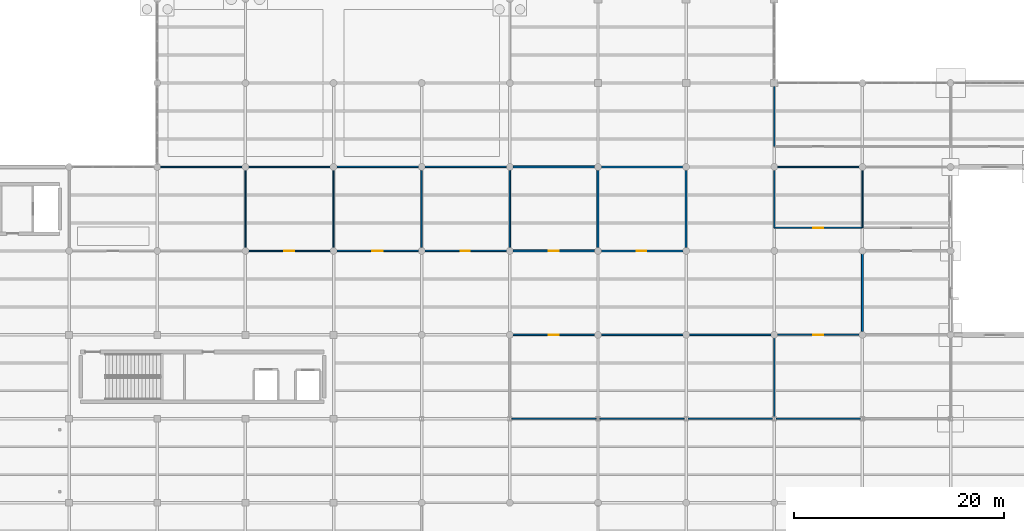
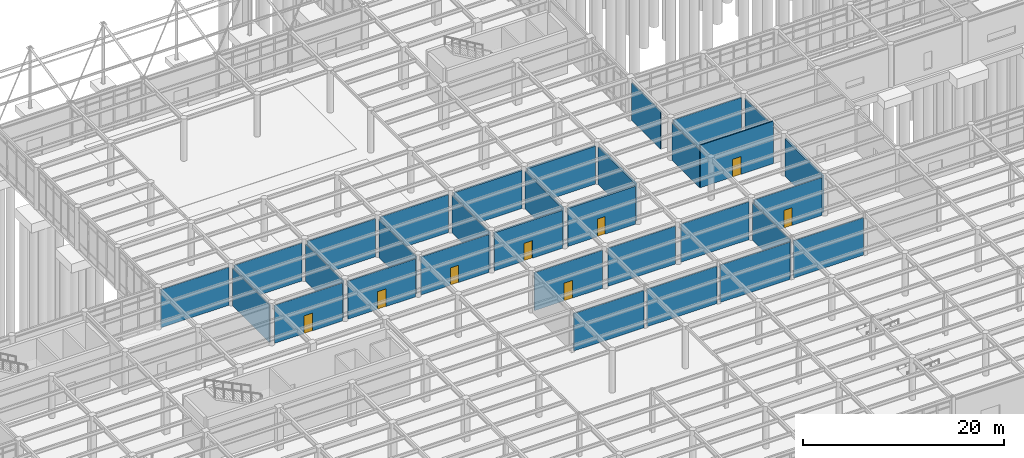
# One storey, part 79 of 138: 32 walls, 8 doors, 8 openings.
"""IFC4 building model written with IfcOpenShell, lengths in metres."""

from ifc_helpers import new_model, si_unit, direction, frame, frame_2d, origin, place, context, subcontext, project, spatial, rectangle, extrude, material, layer, layer_set, type_object, element, fill, save


model = new_model("IFC4")

# Units and contexts
model_context = context("Model", 3, precision=1e-05, world=origin(), true_north=direction((0.0, 1.0)))
body_context = subcontext(model_context, "Body", "Model", "MODEL_VIEW")
ifc_project = project(units=[si_unit("LENGTHUNIT", "METRE"), si_unit("AREAUNIT", "SQUARE_METRE"), si_unit("VOLUMEUNIT", "CUBIC_METRE"), si_unit("PLANEANGLEUNIT", "RADIAN"), si_unit("MASSUNIT", "GRAM", prefix="KILO")], contexts=[model_context])

# Site, building, storey
site_placement = place(None, origin())
site = spatial("IfcSite", under=ifc_project, at=site_placement, CompositionType="ELEMENT")
building_placement = place(site_placement, origin())
building = spatial("IfcBuilding", under=site, at=building_placement, Name="Kranzveld Transit Interchange", CompositionType="ELEMENT")
storey_placement = place(building_placement, origin())
storey = spatial("IfcBuildingStorey", under=building, at=storey_placement, Name="L00", CompositionType="ELEMENT", Elevation=0.0)

# Wall, opening, door
ifc_material_1 = material(Name="Clay masonry unit wall, 20 MPa", Category="masonry")
ifc_layer_1 = layer(ifc_material_1, 0.14990234375)
ifc_layer_set_1 = layer_set([ifc_layer_1], Name="Clay masonry unit wall, 20 MPa")
wall_type_1 = type_object("IfcWallType", Name="Fire Rated Partition Wall 150 EI60", PredefinedType="PARTITIONING", material=ifc_layer_set_1)
wall_1_placement = place(storey_placement, frame((75.9150390625, 48.0, 0.0), z_axis=(0.0, 0.0, 1.0), x_axis=(1.0, 0.0, 0.0)))
wall_1 = element("IfcWall", 1, at=wall_1_placement, inside=storey, type_object=wall_type_1, Name="L00 Partition IW-L00-L00V1W-FRT-006-0", PredefinedType="PARTITIONING", context=body_context, shape_type="SweptSolid", body=[
    extrude(rectangle(XDim=7.77001953125, YDim=0.14990234375, at=frame_2d((3.885009765625, 0.0))), origin(), (0.0, 0.0, 1.0), 4.60546875),
])
opening_1_placement = place(wall_1_placement, frame((3.385009765625, 0.0, 0.0), z_axis=(0.0, 0.0, 1.0), x_axis=(1.0, 0.0, 0.0)))
opening_1 = element("IfcOpeningElement", 2, at=opening_1_placement, cuts=wall_1, Name="Opening D-006", PredefinedType="OPENING", context=body_context, shape_type="SweptSolid", body=[
    extrude(rectangle(XDim=1.0, YDim=2.14990234375, at=frame_2d((0.5, 1.074951171875))), frame((0.0, 0.0849609375, 0.0), z_axis=(0.0, -1.0, 0.0), x_axis=(1.0, 0.0, 0.0)), (0.0, 0.0, 1.0), 0.169921875),
])
ifc_material_2 = material(Name="Steel S355JR", Category="steel")
door_type_1 = type_object("IfcDoorType", Name="Fire Door Single 1000x2150 FD60S", OperationType="NOTDEFINED", PredefinedType="DOOR", material=ifc_material_2)
door_1_placement = place(opening_1_placement, origin())
door_1 = element("IfcDoor", 3, at=door_1_placement, inside=storey, type_object=door_type_1, Name="L00 Interior Door D-006", OperationType="SINGLE_SWING_LEFT", OverallHeight=2.14990234375, OverallWidth=1.0, PredefinedType="DOOR", context=body_context, shape_type="SweptSolid", body=[
    extrude(rectangle(XDim=1.0, YDim=2.14990234375, at=frame_2d((0.5, 1.074951171875))), frame((0.0, 0.02490234375, 0.0), z_axis=(0.0, -1.0, 0.0), x_axis=(1.0, 0.0, 0.0)), (0.0, 0.0, 1.0), 0.050048828125),
])
fill(opening_1, door_1)

# Walls
wall_2_placement = place(storey_placement, frame((75.9150390625, 56.0, 0.0), z_axis=(0.0, 0.0, 1.0), x_axis=(1.0, 0.0, 0.0)))
element("IfcWall", 4, at=wall_2_placement, inside=storey, type_object=wall_type_1, Name="L00 Partition IW-L00-L00V1W-BCK-006-0", PredefinedType="PARTITIONING", context=body_context, shape_type="SweptSolid", body=[
    extrude(rectangle(XDim=7.77001953125, YDim=0.14990234375, at=frame_2d((3.885009765625, 0.0))), origin(), (0.0, 0.0, 1.0), 4.60546875),
])
wall_3_placement = place(storey_placement, frame((84.0, 48.31494140625, 0.0), z_axis=(0.0, 0.0, 1.0), x_axis=(0.0, 1.0, 0.0)))
element("IfcWall", 5, at=wall_3_placement, inside=storey, type_object=wall_type_1, Name="L00 Partition IW-L00-L00V1W-E-006-0", PredefinedType="PARTITIONING", context=body_context, shape_type="SweptSolid", body=[
    extrude(rectangle(XDim=7.3701171875, YDim=0.14990234375, at=frame_2d((3.68505859375, 0.0))), origin(), (0.0, 0.0, 1.0), 4.54248046875),
])

# Wall, opening, door
ifc_material_3 = material(Name="Clay masonry unit wall, 20 MPa", Category="masonry")
ifc_layer_2 = layer(ifc_material_3, 0.125)
ifc_layer_set_2 = layer_set([ifc_layer_2], Name="Clay masonry unit wall, 20 MPa")
wall_type_2 = type_object("IfcWallType", Name="Internal Blockwork Partition 125", PredefinedType="PARTITIONING", material=ifc_layer_set_2)
wall_4_placement = place(storey_placement, frame((117.60009765625, 50.199951171875, 0.0), z_axis=(0.0, 0.0, 1.0), x_axis=(1.0, 0.0, 0.0)))
wall_4 = element("IfcWall", 6, at=wall_4_placement, inside=storey, type_object=wall_type_2, Name="L00 Partition IW-L00-L00V1C-FRT-041-0", PredefinedType="PARTITIONING", context=body_context, shape_type="SweptSolid", body=[
    extrude(rectangle(XDim=8.39990234375, YDim=0.125, at=frame_2d((4.199951171875, 0.0))), origin(), (0.0, 0.0, 1.0), 5.14990234375),
])
opening_2_placement = place(wall_4_placement, frame((3.699951171875, 0.0, 0.0), z_axis=(0.0, 0.0, 1.0), x_axis=(1.0, 0.0, 0.0)))
opening_2 = element("IfcOpeningElement", 7, at=opening_2_placement, cuts=wall_4, Name="Opening D-041", PredefinedType="OPENING", context=body_context, shape_type="SweptSolid", body=[
    extrude(rectangle(XDim=0.97998046875, YDim=2.14990234375, at=frame_2d((0.489990234375, 1.074951171875))), frame((0.0, 0.072509765625, 0.0), z_axis=(0.0, -1.0, 0.0), x_axis=(1.0, 0.0, 0.0)), (0.0, 0.0, 1.0), 0.14501953125),
])
ifc_material_4 = material(Name="Bronze-anodised thermally broken aluminium", Category="aluminium")
door_type_2 = type_object("IfcDoorType", Name="Retail Back-of-House Door 980x2150", OperationType="NOTDEFINED", PredefinedType="DOOR", material=ifc_material_4)
door_2_placement = place(opening_2_placement, origin())
door_2 = element("IfcDoor", 8, at=door_2_placement, inside=storey, type_object=door_type_2, Name="L00 Interior Door D-041", OperationType="SINGLE_SWING_LEFT", OverallHeight=2.14990234375, OverallWidth=0.97998046875, PredefinedType="DOOR", context=body_context, shape_type="SweptSolid", body=[
    extrude(rectangle(XDim=0.97998046875, YDim=2.14990234375, at=frame_2d((0.489990234375, 1.074951171875))), frame((0.0, 0.02490234375, 0.0), z_axis=(0.0, -1.0, 0.0), x_axis=(1.0, 0.0, 0.0)), (0.0, 0.0, 1.0), 0.050048828125),
])
fill(opening_2, door_2)

wall_5_placement = place(storey_placement, frame((92.715087890625, 40.0, 0.0), z_axis=(0.0, 0.0, 1.0), x_axis=(1.0, 0.0, 0.0)))
wall_5 = element("IfcWall", 9, at=wall_5_placement, inside=storey, type_object=wall_type_2, Name="L00 Partition IW-L00-L00V2E-FRT-046-0", PredefinedType="PARTITIONING", context=body_context, shape_type="SweptSolid", body=[
    extrude(rectangle(XDim=7.77001953125, YDim=0.125, at=frame_2d((3.885009765625, 0.0))), origin(), (0.0, 0.0, 1.0), 4.60546875),
])
opening_3_placement = place(wall_5_placement, frame((4.364990234375, 0.0, 0.0), z_axis=(0.0, 0.0, 1.0), x_axis=(-1.0, 0.0, 0.0)))
opening_3 = element("IfcOpeningElement", 10, at=opening_3_placement, cuts=wall_5, Name="Opening D-046", PredefinedType="OPENING", context=body_context, shape_type="SweptSolid", body=[
    extrude(rectangle(XDim=0.97998046875, YDim=2.14990234375, at=frame_2d((0.489990234375, 1.074951171875))), frame((0.0, 0.072509765625, 0.0), z_axis=(0.0, -1.0, 0.0), x_axis=(1.0, 0.0, 0.0)), (0.0, 0.0, 1.0), 0.14501953125),
])
door_3_placement = place(opening_3_placement, origin())
door_3 = element("IfcDoor", 11, at=door_3_placement, inside=storey, type_object=door_type_2, Name="L00 Interior Door D-046", OperationType="SINGLE_SWING_LEFT", OverallHeight=2.14990234375, OverallWidth=0.97998046875, PredefinedType="DOOR", context=body_context, shape_type="SweptSolid", body=[
    extrude(rectangle(XDim=0.97998046875, YDim=2.14990234375, at=frame_2d((0.489990234375, 1.074951171875))), frame((0.0, 0.02490234375, 0.0), z_axis=(0.0, -1.0, 0.0), x_axis=(1.0, 0.0, 0.0)), (0.0, 0.0, 1.0), 0.050048828125),
])
fill(opening_3, door_3)

# Walls
wall_6_placement = place(storey_placement, frame((59.114990234375, 56.0, 0.0), z_axis=(0.0, 0.0, 1.0), x_axis=(1.0, 0.0, 0.0)))
element("IfcWall", 12, at=wall_6_placement, inside=storey, type_object=wall_type_2, Name="L00 Partition IW-L00-L00V1W-BCK-004-1", PredefinedType="PARTITIONING", context=body_context, shape_type="SweptSolid", body=[
    extrude(rectangle(XDim=7.77001953125, YDim=0.125, at=frame_2d((3.885009765625, 0.0))), origin(), (0.0, 0.0, 1.0), 4.60546875),
])
wall_7_placement = place(storey_placement, frame((67.199951171875, 48.31494140625, 0.0), z_axis=(0.0, 0.0, 1.0), x_axis=(0.0, 1.0, 0.0)))
element("IfcWall", 13, at=wall_7_placement, inside=storey, type_object=wall_type_2, Name="L00 Partition IW-L00-L00V1W-E-004-0", PredefinedType="PARTITIONING", context=body_context, shape_type="SweptSolid", body=[
    extrude(rectangle(XDim=7.3701171875, YDim=0.125, at=frame_2d((3.68505859375, 0.0))), origin(), (0.0, 0.0, 1.0), 4.54248046875),
])
wall_8_placement = place(storey_placement, frame((117.9150390625, 56.0, 0.0), z_axis=(0.0, 0.0, 1.0), x_axis=(1.0, 0.0, 0.0)))
element("IfcWall", 14, at=wall_8_placement, inside=storey, type_object=wall_type_2, Name="L00 Partition IW-L00-L00V1C-BCK-041-0", PredefinedType="PARTITIONING", context=body_context, shape_type="SweptSolid", body=[
    extrude(rectangle(XDim=7.77001953125, YDim=0.125, at=frame_2d((3.885009765625, 0.0))), origin(), (0.0, 0.0, 1.0), 4.60546875),
])
for number, where, z_axis, x_axis, name in (
    (15, (117.60009765625, 50.199951171875, 0.0), (0.0, 0.0, 1.0), (0.0, 1.0, 0.0), "L00 Partition IW-L00-L00V1C-W-041-0"),
    (16, (126.0, 50.199951171875, 0.0), (0.0, 0.0, 1.0), (0.0, 1.0, 0.0), "L00 Partition IW-L00-L00V1C-E-041-0"),
):
    element("IfcWall", number, at=place(storey_placement, frame(where, z_axis=z_axis, x_axis=x_axis)), inside=storey, type_object=wall_type_2, Name=name, PredefinedType="PARTITIONING", context=body_context, shape_type="SweptSolid", body=[
        extrude(rectangle(XDim=5.485107421875, YDim=0.125, at=frame_2d((2.74267578125, 0.0))), origin(), (0.0, 0.0, 1.0), 4.54248046875),
    ])
for number, where, z_axis, x_axis, name in (
    (17, (101.114990234375, 40.0, 0.0), (0.0, 0.0, 1.0), (1.0, 0.0, 0.0), "L00 Partition IW-L00-L00V2E-FRT-046-1"),
    (18, (109.514892578125, 40.0, 0.0), (0.0, 0.0, 1.0), (1.0, 0.0, 0.0), "L00 Partition IW-L00-L00V2E-FRT-046-2"),
):
    element("IfcWall", number, at=place(storey_placement, frame(where, z_axis=z_axis, x_axis=x_axis)), inside=storey, type_object=wall_type_2, Name=name, PredefinedType="PARTITIONING", context=body_context, shape_type="SweptSolid", body=[
        extrude(rectangle(XDim=7.77001953125, YDim=0.125, at=frame_2d((3.885009765625, 0.0))), origin(), (0.0, 0.0, 1.0), 4.60546875),
    ])
for number, where, z_axis, x_axis, name in (
    (19, (92.589599609375, 32.0, 0.0), (0.0, 0.0, 1.0), (1.0, 0.0, 0.0), "L00 Partition IW-L00-L00V2E-BCK-046-0"),
    (20, (100.989501953125, 32.0, 0.0), (0.0, 0.0, 1.0), (1.0, 0.0, 0.0), "L00 Partition IW-L00-L00V2E-BCK-046-1"),
    (21, (109.389404296875, 32.0, 0.0), (0.0, 0.0, 1.0), (1.0, 0.0, 0.0), "L00 Partition IW-L00-L00V2E-BCK-046-2"),
):
    element("IfcWall", number, at=place(storey_placement, frame(where, z_axis=z_axis, x_axis=x_axis)), inside=storey, type_object=wall_type_2, Name=name, PredefinedType="PARTITIONING", context=body_context, shape_type="SweptSolid", body=[
        extrude(rectangle(XDim=8.02099609375, YDim=0.125, at=frame_2d((4.010498046875, 0.0))), origin(), (0.0, 0.0, 1.0), 4.53271484375),
    ])
wall_9_placement = place(storey_placement, frame((117.60009765625, 32.186767578125, 0.0), z_axis=(0.0, 0.0, 1.0), x_axis=(0.0, 1.0, 0.0)))
element("IfcWall", 22, at=wall_9_placement, inside=storey, type_object=wall_type_2, Name="L00 Partition IW-L00-L00V2E-E-046-0", PredefinedType="PARTITIONING", context=body_context, shape_type="SweptSolid", body=[
    extrude(rectangle(XDim=7.498291015625, YDim=0.125, at=frame_2d((3.7490234375, 0.0))), origin(), (0.0, 0.0, 1.0), 4.54248046875),
])
wall_10_placement = place(storey_placement, frame((117.60009765625, 57.949951171875, 0.0), z_axis=(0.0, 0.0, 1.0), x_axis=(0.0, 1.0, 0.0)))
element("IfcWall", 23, at=wall_10_placement, inside=storey, type_object=wall_type_2, Name="L00 Partition IW-L00-L00V4S-W-027-0", PredefinedType="PARTITIONING", context=body_context, shape_type="SweptSolid", body=[
    extrude(rectangle(XDim=5.7099609375, YDim=0.125, at=frame_2d((2.85498046875, 0.0))), origin(), (0.0, 0.0, 1.0), 4.54248046875),
])

# Wall, opening, door
ifc_material_5 = material(Name="Clay masonry unit wall, 20 MPa", Category="masonry")
ifc_layer_3 = layer(ifc_material_5, 0.114990234375)
ifc_layer_set_3 = layer_set([ifc_layer_3], Name="Clay masonry unit wall, 20 MPa")
wall_type_3 = type_object("IfcWallType", Name="Internal Masonry Partition 115", PredefinedType="PARTITIONING", material=ifc_layer_set_3)
wall_11_placement = place(storey_placement, frame((67.514892578125, 48.0, 0.0), z_axis=(0.0, 0.0, 1.0), x_axis=(1.0, 0.0, 0.0)))
wall_11 = element("IfcWall", 24, at=wall_11_placement, inside=storey, type_object=wall_type_3, Name="L00 Partition IW-L00-L00V1W-FRT-005-0", PredefinedType="PARTITIONING", context=body_context, shape_type="SweptSolid", body=[
    extrude(rectangle(XDim=7.77001953125, YDim=0.114990234375, at=frame_2d((3.885009765625, 0.0))), origin(), (0.0, 0.0, 1.0), 4.60546875),
])
opening_4_placement = place(wall_11_placement, frame((3.385009765625, 0.0, 0.0), z_axis=(0.0, 0.0, 1.0), x_axis=(1.0, 0.0, 0.0)))
opening_4 = element("IfcOpeningElement", 25, at=opening_4_placement, cuts=wall_11, Name="Opening D-005", PredefinedType="OPENING", context=body_context, shape_type="SweptSolid", body=[
    extrude(rectangle(XDim=0.949951171875, YDim=2.14990234375, at=frame_2d((0.47509765625, 1.074951171875))), frame((0.0, 0.0673828125, 0.0), z_axis=(0.0, -1.0, 0.0), x_axis=(1.0, 0.0, 0.0)), (0.0, 0.0, 1.0), 0.135009765625),
])
ifc_material_6 = material(Name="Bronze-anodised thermally broken aluminium", Category="aluminium")
door_type_3 = type_object("IfcDoorType", Name="Internal Office Door 950x2150", OperationType="NOTDEFINED", PredefinedType="DOOR", material=ifc_material_6)
door_4_placement = place(opening_4_placement, origin())
door_4 = element("IfcDoor", 26, at=door_4_placement, inside=storey, type_object=door_type_3, Name="L00 Interior Door D-005", OperationType="SINGLE_SWING_RIGHT", OverallHeight=2.14990234375, OverallWidth=0.949951171875, PredefinedType="DOOR", context=body_context, shape_type="SweptSolid", body=[
    extrude(rectangle(XDim=0.949951171875, YDim=2.14990234375, at=frame_2d((0.47509765625, 1.074951171875))), frame((0.0, 0.02490234375, 0.0), z_axis=(0.0, -1.0, 0.0), x_axis=(1.0, 0.0, 0.0)), (0.0, 0.0, 1.0), 0.050048828125),
])
fill(opening_4, door_4)

wall_12_placement = place(storey_placement, frame((117.9150390625, 40.0, 0.0), z_axis=(0.0, 0.0, 1.0), x_axis=(1.0, 0.0, 0.0)))
wall_12 = element("IfcWall", 27, at=wall_12_placement, inside=storey, type_object=wall_type_3, Name="L00 Partition IW-L00-L00V2E-FRT-047-0", PredefinedType="PARTITIONING", context=body_context, shape_type="SweptSolid", body=[
    extrude(rectangle(XDim=7.77001953125, YDim=0.114990234375, at=frame_2d((3.885009765625, 0.0))), origin(), (0.0, 0.0, 1.0), 4.60546875),
])
opening_5_placement = place(wall_12_placement, frame((4.3349609375, 0.0, 0.0), z_axis=(0.0, 0.0, 1.0), x_axis=(-1.0, 0.0, 0.0)))
opening_5 = element("IfcOpeningElement", 28, at=opening_5_placement, cuts=wall_12, Name="Opening D-047", PredefinedType="OPENING", context=body_context, shape_type="SweptSolid", body=[
    extrude(rectangle(XDim=0.949951171875, YDim=2.14990234375, at=frame_2d((0.47509765625, 1.074951171875))), frame((0.0, 0.0673828125, 0.0), z_axis=(0.0, -1.0, 0.0), x_axis=(1.0, 0.0, 0.0)), (0.0, 0.0, 1.0), 0.135009765625),
])
door_5_placement = place(opening_5_placement, origin())
door_5 = element("IfcDoor", 29, at=door_5_placement, inside=storey, type_object=door_type_3, Name="L00 Interior Door D-047", OperationType="SINGLE_SWING_RIGHT", OverallHeight=2.14990234375, OverallWidth=0.949951171875, PredefinedType="DOOR", context=body_context, shape_type="SweptSolid", body=[
    extrude(rectangle(XDim=0.949951171875, YDim=2.14990234375, at=frame_2d((0.47509765625, 1.074951171875))), frame((0.0, 0.02490234375, 0.0), z_axis=(0.0, -1.0, 0.0), x_axis=(1.0, 0.0, 0.0)), (0.0, 0.0, 1.0), 0.050048828125),
])
fill(opening_5, door_5)

# Walls
wall_13_placement = place(storey_placement, frame((67.514892578125, 56.0, 0.0), z_axis=(0.0, 0.0, 1.0), x_axis=(1.0, 0.0, 0.0)))
element("IfcWall", 30, at=wall_13_placement, inside=storey, type_object=wall_type_3, Name="L00 Partition IW-L00-L00V1W-BCK-005-0", PredefinedType="PARTITIONING", context=body_context, shape_type="SweptSolid", body=[
    extrude(rectangle(XDim=7.77001953125, YDim=0.114990234375, at=frame_2d((3.885009765625, 0.0))), origin(), (0.0, 0.0, 1.0), 4.60546875),
])
wall_14_placement = place(storey_placement, frame((75.60009765625, 48.31494140625, 0.0), z_axis=(0.0, 0.0, 1.0), x_axis=(0.0, 1.0, 0.0)))
element("IfcWall", 31, at=wall_14_placement, inside=storey, type_object=wall_type_3, Name="L00 Partition IW-L00-L00V1W-E-005-0", PredefinedType="PARTITIONING", context=body_context, shape_type="SweptSolid", body=[
    extrude(rectangle(XDim=7.3701171875, YDim=0.114990234375, at=frame_2d((3.68505859375, 0.0))), origin(), (0.0, 0.0, 1.0), 4.54248046875),
])
wall_15_placement = place(storey_placement, frame((117.78955078125, 32.0, 0.0), z_axis=(0.0, 0.0, 1.0), x_axis=(1.0, 0.0, 0.0)))
element("IfcWall", 32, at=wall_15_placement, inside=storey, type_object=wall_type_3, Name="L00 Partition IW-L00-L00V2E-BCK-047-0", PredefinedType="PARTITIONING", context=body_context, shape_type="SweptSolid", body=[
    extrude(rectangle(XDim=8.02099609375, YDim=0.114990234375, at=frame_2d((4.010498046875, 0.0))), origin(), (0.0, 0.0, 1.0), 4.53271484375),
])

# Wall, opening, door
ifc_material_7 = material(Name="Clay masonry unit wall, 20 MPa", Category="masonry")
ifc_layer_4 = layer(ifc_material_7, 0.135009765625)
ifc_layer_set_4 = layer_set([ifc_layer_4], Name="Clay masonry unit wall, 20 MPa")
wall_type_4 = type_object("IfcWallType", Name="Medium Blockwork Partition 135", PredefinedType="PARTITIONING", material=ifc_layer_set_4)
wall_16_placement = place(storey_placement, frame((84.31494140625, 48.0, 0.0), z_axis=(0.0, 0.0, 1.0), x_axis=(1.0, 0.0, 0.0)))
wall_16 = element("IfcWall", 33, at=wall_16_placement, inside=storey, type_object=wall_type_4, Name="L00 Partition IW-L00-L00V1W-FRT-007-0", PredefinedType="PARTITIONING", context=body_context, shape_type="SweptSolid", body=[
    extrude(rectangle(XDim=7.77001953125, YDim=0.135009765625, at=frame_2d((3.885009765625, 0.0))), origin(), (0.0, 0.0, 1.0), 4.60546875),
])
opening_6_placement = place(wall_16_placement, frame((3.385009765625, 0.0, 0.0), z_axis=(0.0, 0.0, 1.0), x_axis=(1.0, 0.0, 0.0)))
opening_6 = element("IfcOpeningElement", 34, at=opening_6_placement, cuts=wall_16, Name="Opening D-007", PredefinedType="OPENING", context=body_context, shape_type="SweptSolid", body=[
    extrude(rectangle(XDim=0.89990234375, YDim=2.10009765625, at=frame_2d((0.449951171875, 1.050048828125))), frame((0.0, 0.077392578125, 0.0), z_axis=(0.0, -1.0, 0.0), x_axis=(1.0, 0.0, 0.0)), (0.0, 0.0, 1.0), 0.155029296875),
])
ifc_material_8 = material(Name="Bronze-anodised thermally broken aluminium", Category="aluminium")
door_type_4 = type_object("IfcDoorType", Name="Staff Office Door 900x2100", OperationType="NOTDEFINED", PredefinedType="DOOR", material=ifc_material_8)
door_6_placement = place(opening_6_placement, origin())
door_6 = element("IfcDoor", 35, at=door_6_placement, inside=storey, type_object=door_type_4, Name="L00 Interior Door D-007", OperationType="SINGLE_SWING_RIGHT", OverallHeight=2.10009765625, OverallWidth=0.89990234375, PredefinedType="DOOR", context=body_context, shape_type="SweptSolid", body=[
    extrude(rectangle(XDim=0.89990234375, YDim=2.10009765625, at=frame_2d((0.449951171875, 1.050048828125))), frame((0.0, 0.02490234375, 0.0), z_axis=(0.0, -1.0, 0.0), x_axis=(1.0, 0.0, 0.0)), (0.0, 0.0, 1.0), 0.050048828125),
])
fill(opening_6, door_6)

# Walls
wall_17_placement = place(storey_placement, frame((84.31494140625, 56.0, 0.0), z_axis=(0.0, 0.0, 1.0), x_axis=(1.0, 0.0, 0.0)))
element("IfcWall", 36, at=wall_17_placement, inside=storey, type_object=wall_type_4, Name="L00 Partition IW-L00-L00V1W-BCK-007-0", PredefinedType="PARTITIONING", context=body_context, shape_type="SweptSolid", body=[
    extrude(rectangle(XDim=7.77001953125, YDim=0.135009765625, at=frame_2d((3.885009765625, 0.0))), origin(), (0.0, 0.0, 1.0), 4.60546875),
])
wall_18_placement = place(storey_placement, frame((92.39990234375, 48.31494140625, 0.0), z_axis=(0.0, 0.0, 1.0), x_axis=(0.0, 1.0, 0.0)))
element("IfcWall", 37, at=wall_18_placement, inside=storey, type_object=wall_type_4, Name="L00 Partition IW-L00-L00V1W-E-007-0", PredefinedType="PARTITIONING", context=body_context, shape_type="SweptSolid", body=[
    extrude(rectangle(XDim=7.3701171875, YDim=0.135009765625, at=frame_2d((3.68505859375, 0.0))), origin(), (0.0, 0.0, 1.0), 4.54248046875),
])

# Wall, opening, door
ifc_material_9 = material(Name="Clay masonry unit wall, 20 MPa", Category="masonry")
ifc_layer_5 = layer(ifc_material_9, 0.18994140625)
ifc_layer_set_5 = layer_set([ifc_layer_5], Name="Clay masonry unit wall, 20 MPa")
wall_type_5 = type_object("IfcWallType", Name="Sanitary Plumbing Wall 190", PredefinedType="PLUMBINGWALL", material=ifc_layer_set_5)
wall_19_placement = place(storey_placement, frame((92.715087890625, 48.0, 0.0), z_axis=(0.0, 0.0, 1.0), x_axis=(1.0, 0.0, 0.0)))
wall_19 = element("IfcWall", 38, at=wall_19_placement, inside=storey, type_object=wall_type_5, Name="L00 Partition IW-L00-L00V1W-FRT-008-0", PredefinedType="PLUMBINGWALL", context=body_context, shape_type="SweptSolid", body=[
    extrude(rectangle(XDim=7.77001953125, YDim=0.18994140625, at=frame_2d((3.885009765625, 0.0))), origin(), (0.0, 0.0, 1.0), 4.60546875),
])
opening_7_placement = place(wall_19_placement, frame((3.385009765625, 0.0, 0.0), z_axis=(0.0, 0.0, 1.0), x_axis=(1.0, 0.0, 0.0)))
opening_7 = element("IfcOpeningElement", 39, at=opening_7_placement, cuts=wall_19, Name="Opening D-008", PredefinedType="OPENING", context=body_context, shape_type="SweptSolid", body=[
    extrude(rectangle(XDim=0.949951171875, YDim=2.14990234375, at=frame_2d((0.47509765625, 1.074951171875))), frame((0.0, 0.10498046875, 0.0), z_axis=(0.0, -1.0, 0.0), x_axis=(1.0, 0.0, 0.0)), (0.0, 0.0, 1.0), 0.2099609375),
])
ifc_material_10 = material(Name="Bronze-anodised thermally broken aluminium", Category="aluminium")
door_type_5 = type_object("IfcDoorType", Name="Accessible WC Door 950x2150", OperationType="NOTDEFINED", PredefinedType="DOOR", material=ifc_material_10)
door_7_placement = place(opening_7_placement, origin())
door_7 = element("IfcDoor", 40, at=door_7_placement, inside=storey, type_object=door_type_5, Name="L00 Interior Door D-008", OperationType="SINGLE_SWING_LEFT", OverallHeight=2.14990234375, OverallWidth=0.949951171875, PredefinedType="DOOR", context=body_context, shape_type="SweptSolid", body=[
    extrude(rectangle(XDim=0.949951171875, YDim=2.14990234375, at=frame_2d((0.47509765625, 1.074951171875))), frame((0.0, 0.02490234375, 0.0), z_axis=(0.0, -1.0, 0.0), x_axis=(1.0, 0.0, 0.0)), (0.0, 0.0, 1.0), 0.050048828125),
])
fill(opening_7, door_7)

# Walls
wall_20_placement = place(storey_placement, frame((92.715087890625, 56.0, 0.0), z_axis=(0.0, 0.0, 1.0), x_axis=(1.0, 0.0, 0.0)))
element("IfcWall", 41, at=wall_20_placement, inside=storey, type_object=wall_type_5, Name="L00 Partition IW-L00-L00V1W-BCK-008-0", PredefinedType="PLUMBINGWALL", context=body_context, shape_type="SweptSolid", body=[
    extrude(rectangle(XDim=7.77001953125, YDim=0.18994140625, at=frame_2d((3.885009765625, 0.0))), origin(), (0.0, 0.0, 1.0), 4.60546875),
])
for number, where, z_axis, x_axis, name in (
    (42, (100.800048828125, 48.31494140625, 0.0), (0.0, 0.0, 1.0), (0.0, 1.0, 0.0), "L00 Partition IW-L00-L00V1W-E-008-0"),
    (43, (126.0, 40.31494140625, 0.0), (0.0, 0.0, 1.0), (0.0, 1.0, 0.0), "L00 Partition IW-L00-L00V1WC-W-010-0"),
):
    element("IfcWall", number, at=place(storey_placement, frame(where, z_axis=z_axis, x_axis=x_axis)), inside=storey, type_object=wall_type_5, Name=name, PredefinedType="PLUMBINGWALL", context=body_context, shape_type="SweptSolid", body=[
        extrude(rectangle(XDim=7.3701171875, YDim=0.18994140625, at=frame_2d((3.68505859375, 0.0))), origin(), (0.0, 0.0, 1.0), 4.54248046875),
    ])

# Wall, opening, door
ifc_material_11 = material(Name="Clay masonry unit wall, 20 MPa", Category="masonry")
ifc_layer_6 = layer(ifc_material_11, 0.2099609375)
ifc_layer_set_6 = layer_set([ifc_layer_6], Name="Clay masonry unit wall, 20 MPa")
wall_type_6 = type_object("IfcWallType", Name="Service Duct Plumbing Wall 210", PredefinedType="PLUMBINGWALL", material=ifc_layer_set_6)
wall_21_placement = place(storey_placement, frame((101.114990234375, 48.0, 0.0), z_axis=(0.0, 0.0, 1.0), x_axis=(1.0, 0.0, 0.0)))
wall_21 = element("IfcWall", 44, at=wall_21_placement, inside=storey, type_object=wall_type_6, Name="L00 Partition IW-L00-L00V1W-FRT-009-0", PredefinedType="PLUMBINGWALL", context=body_context, shape_type="SweptSolid", body=[
    extrude(rectangle(XDim=7.77001953125, YDim=0.2099609375, at=frame_2d((3.885009765625, 0.0))), origin(), (0.0, 0.0, 1.0), 4.60546875),
])
opening_8_placement = place(wall_21_placement, frame((3.385009765625, 0.0, 0.0), z_axis=(0.0, 0.0, 1.0), x_axis=(1.0, 0.0, 0.0)))
opening_8 = element("IfcOpeningElement", 45, at=opening_8_placement, cuts=wall_21, Name="Opening D-009", PredefinedType="OPENING", context=body_context, shape_type="SweptSolid", body=[
    extrude(rectangle(XDim=0.89990234375, YDim=2.14990234375, at=frame_2d((0.449951171875, 1.074951171875))), frame((0.0, 0.114990234375, 0.0), z_axis=(0.0, -1.0, 0.0), x_axis=(1.0, 0.0, 0.0)), (0.0, 0.0, 1.0), 0.22998046875),
])
ifc_material_12 = material(Name="Steel S355JR", Category="steel")
door_type_6 = type_object("IfcDoorType", Name="Sanitary Cubicle Lobby Door 900x2150", OperationType="NOTDEFINED", PredefinedType="DOOR", material=ifc_material_12)
door_8_placement = place(opening_8_placement, origin())
door_8 = element("IfcDoor", 46, at=door_8_placement, inside=storey, type_object=door_type_6, Name="L00 Interior Door D-009", OperationType="SINGLE_SWING_RIGHT", OverallHeight=2.14990234375, OverallWidth=0.89990234375, PredefinedType="DOOR", context=body_context, shape_type="SweptSolid", body=[
    extrude(rectangle(XDim=0.89990234375, YDim=2.14990234375, at=frame_2d((0.449951171875, 1.074951171875))), frame((0.0, 0.02490234375, 0.0), z_axis=(0.0, -1.0, 0.0), x_axis=(1.0, 0.0, 0.0)), (0.0, 0.0, 1.0), 0.050048828125),
])
fill(opening_8, door_8)

# Walls
wall_22_placement = place(storey_placement, frame((101.114990234375, 56.0, 0.0), z_axis=(0.0, 0.0, 1.0), x_axis=(1.0, 0.0, 0.0)))
element("IfcWall", 47, at=wall_22_placement, inside=storey, type_object=wall_type_6, Name="L00 Partition IW-L00-L00V1W-BCK-009-0", PredefinedType="PLUMBINGWALL", context=body_context, shape_type="SweptSolid", body=[
    extrude(rectangle(XDim=7.77001953125, YDim=0.2099609375, at=frame_2d((3.885009765625, 0.0))), origin(), (0.0, 0.0, 1.0), 4.60546875),
])
wall_23_placement = place(storey_placement, frame((109.199951171875, 48.31494140625, 0.0), z_axis=(0.0, 0.0, 1.0), x_axis=(0.0, 1.0, 0.0)))
element("IfcWall", 48, at=wall_23_placement, inside=storey, type_object=wall_type_6, Name="L00 Partition IW-L00-L00V1W-E-009-0", PredefinedType="PLUMBINGWALL", context=body_context, shape_type="SweptSolid", body=[
    extrude(rectangle(XDim=7.3701171875, YDim=0.2099609375, at=frame_2d((3.68505859375, 0.0))), origin(), (0.0, 0.0, 1.0), 4.54248046875),
])

save(model, "model.ifc")
